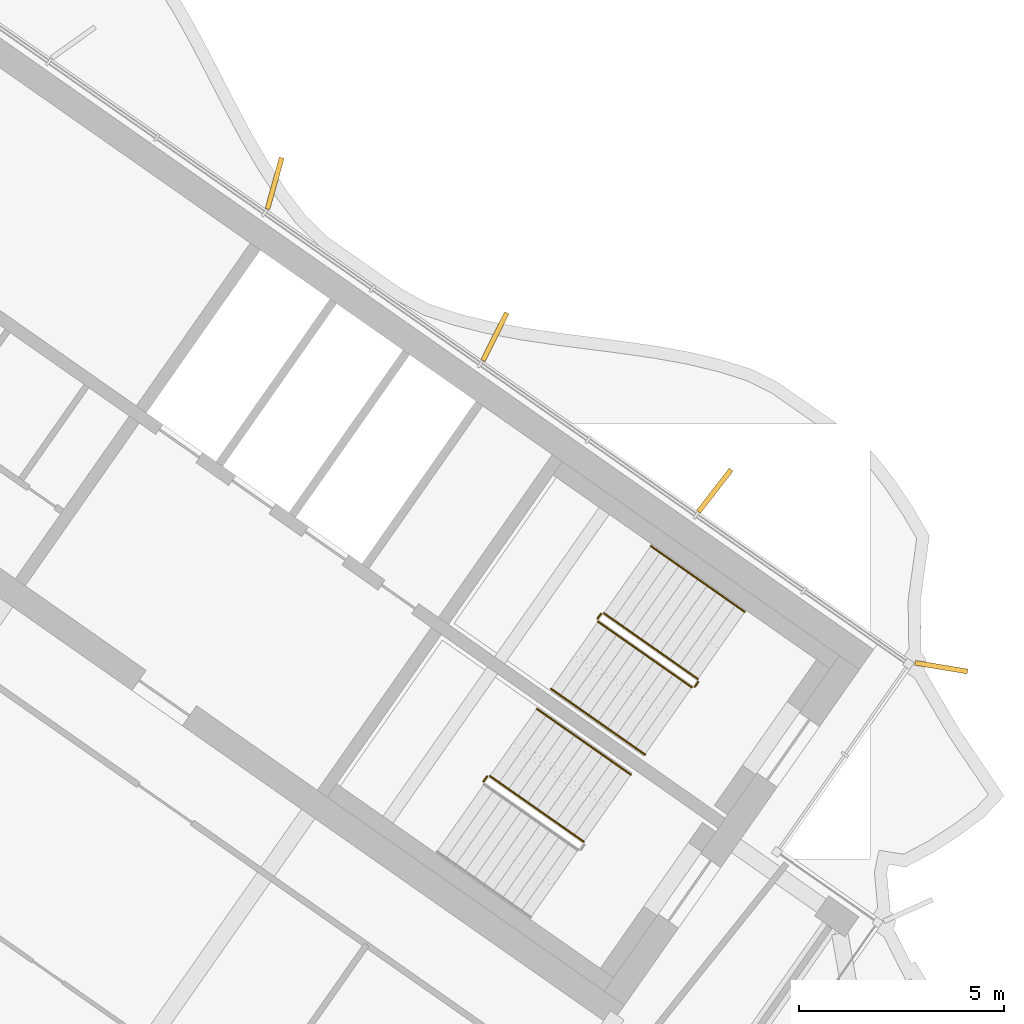
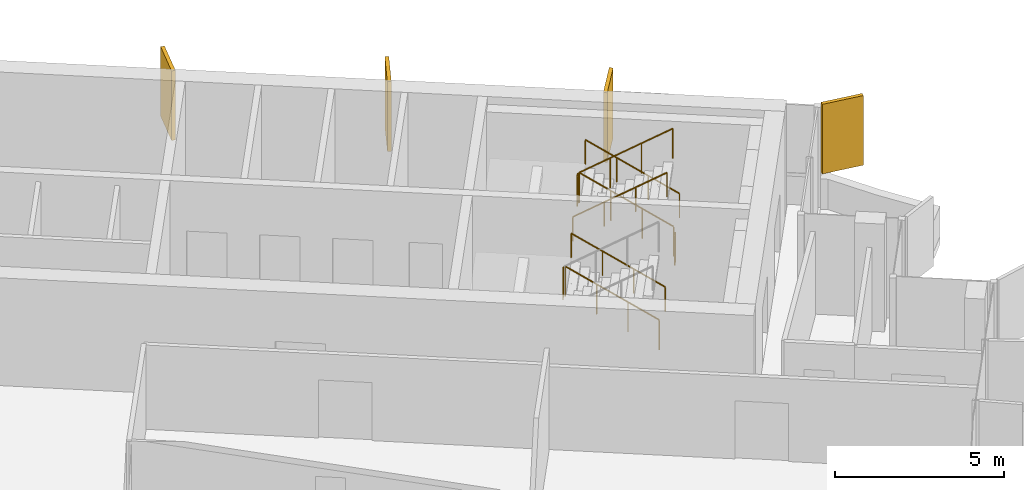
# One storey, part 17 of 18: 9 railings, 4 shading devices.
"""IFC4 building model written with IfcOpenShell, lengths in metres."""

import ifcopenshell
import ifcopenshell.guid

model = None  # the IFC model being written
_history = None  # IfcOwnerHistory: only IFC2X3 demands one
_inside = {}  # id of a spatial element -> (the spatial element, [elements in it])
_under = {}  # id of a project, library or spatial element -> (it, [spatial elements below it])
_declared = {}  # id of a project -> (the project, [libraries it declares])
_typed = {}  # id of a type object -> (the type object, [elements of that type])
_made_of = {}  # id of a material, layer set ... -> (it, [elements and type objects made of it])


def new_model(schema):
    """Start an empty IFC model of exactly this schema.

    Asked for "IFC4X3", IfcOpenShell would pick the latest addendum, in which some entities
    have other attributes; the version numbers below select the first issue.
    IFC2X3 requires an IfcOwnerHistory on every rooted entity: one is made here for all.
    """
    global model, _history
    if schema == "IFC4X3":
        model = ifcopenshell.file(schema_version=(4, 3, 0, 0))
    else:
        model = ifcopenshell.file(schema=schema)
    _inside.clear()
    _under.clear()
    _declared.clear()
    _typed.clear()
    _made_of.clear()
    _history = None
    if model.schema == "IFC2X3":
        org = make("IfcOrganization", Name="unknown")
        user = make(
            "IfcPersonAndOrganization",
            ThePerson=make("IfcPerson", FamilyName="unknown"),
            TheOrganization=org,
        )
        app = make(
            "IfcApplication",
            ApplicationDeveloper=org,
            Version="unknown",
            ApplicationFullName="unknown",
            ApplicationIdentifier="unknown",
        )
        _history = make(
            "IfcOwnerHistory",
            OwningUser=user,
            OwningApplication=app,
            ChangeAction="ADDED",
            CreationDate=0,
        )
    return model


def make(cls, **values):
    """One entity of the class cls with the attributes given. An attribute that is None is left unset."""
    return model.create_entity(
        cls, **{name: value for name, value in values.items() if value is not None}
    )


def rooted(cls, **values):
    """An entity with a GlobalId (a new one), such as an element, a storey or a relation."""
    return make(cls, GlobalId=ifcopenshell.guid.new(), OwnerHistory=_history, **values)


def si_unit(unit_type, name, prefix=None):
    """IfcSIUnit, for example si_unit("LENGTHUNIT", "METRE", prefix="MILLI")."""
    return make("IfcSIUnit", UnitType=unit_type, Prefix=prefix, Name=name)


def assignment(units):
    """IfcUnitAssignment: the units of a project."""
    return None if units is None else make("IfcUnitAssignment", Units=units)


def point(xyz):
    """IfcCartesianPoint."""
    return None if xyz is None else make("IfcCartesianPoint", Coordinates=xyz)


def direction(xyz):
    """IfcDirection."""
    return None if xyz is None else make("IfcDirection", DirectionRatios=xyz)


def frame(location, z_axis=None, x_axis=None):
    """IfcAxis2Placement3D, a coordinate frame: its origin and axes. An axis left out is left unset."""
    return make(
        "IfcAxis2Placement3D",
        Location=point(location),
        Axis=direction(z_axis),
        RefDirection=direction(x_axis),
    )


def frame_2d(location, x_axis=None):
    """IfcAxis2Placement2D, a coordinate frame in the plane: its origin and x axis."""
    return make(
        "IfcAxis2Placement2D", Location=point(location), RefDirection=direction(x_axis)
    )


def origin():
    """The frame at (0, 0, 0) with its axes left unset."""
    return frame((0.0, 0.0, 0.0))


def origin_2d():
    """The frame at (0, 0) in the plane with its x axis left unset."""
    return frame_2d((0.0, 0.0))


def place(relative_to, where):
    """IfcLocalPlacement: puts the frame where relative to a parent placement (None: the world)."""
    return make(
        "IfcLocalPlacement", PlacementRelTo=relative_to, RelativePlacement=where
    )


def context(
    kind, dimensions, precision=None, world=None, true_north=None, identifier=None
):
    """IfcGeometricRepresentationContext, for example the 3D "Model" context."""
    return make(
        "IfcGeometricRepresentationContext",
        ContextIdentifier=identifier,
        ContextType=kind,
        CoordinateSpaceDimension=dimensions,
        Precision=precision,
        WorldCoordinateSystem=world,
        TrueNorth=true_north,
    )


def subcontext(parent, identifier, kind, view, scale=None):
    """IfcGeometricRepresentationSubContext, for example "Body" below "Model"."""
    return make(
        "IfcGeometricRepresentationSubContext",
        ContextIdentifier=identifier,
        ContextType=kind,
        ParentContext=parent,
        TargetScale=scale,
        TargetView=view,
    )


def project(units=None, contexts=None):
    """IfcProject with its units and contexts."""
    return rooted(
        "IfcProject",
        Name="project",
        RepresentationContexts=contexts,
        UnitsInContext=assignment(units),
    )


def spatial(cls, under=None, at=None, **own):
    """A site, building, storey or space (cls), placed at a placement, below another one or the project."""
    s = rooted(cls, ObjectPlacement=at, **own)
    if under is not None:
        _under.setdefault(under.id(), (under, []))[1].append(s)
    return s


def profile(cls, at=None, kind="AREA", **sizes):
    """A parametric profile (cls). Its sizes go by their IFC names, for example OverallWidth=200.0."""
    return make(cls, ProfileType=kind, Position=at, **sizes)


def rectangle(**sizes):
    """IfcRectangleProfileDef."""
    return profile("IfcRectangleProfileDef", **sizes)


def circle(**sizes):
    """IfcCircleProfileDef."""
    return profile("IfcCircleProfileDef", **sizes)


def extrude(swept, where, along, depth):
    """IfcExtrudedAreaSolid: the profile swept, set in the frame where, extruded along a direction by depth."""
    return make(
        "IfcExtrudedAreaSolid",
        SweptArea=swept,
        Position=where,
        ExtrudedDirection=direction(along),
        Depth=depth,
    )


def shape(context_of_items, identifier, shape_type, items):
    """IfcShapeRepresentation: the items that make up one representation, for example the "Body"."""
    return make(
        "IfcShapeRepresentation",
        ContextOfItems=context_of_items,
        RepresentationIdentifier=identifier,
        RepresentationType=shape_type,
        Items=items,
    )


def material(Name=None, Category=None):
    """IfcMaterial."""
    return make("IfcMaterial", Name=Name, Category=Category)


def layer(
    of_material, thickness, ventilated=None, Name=None, Category=None, Priority=None
):
    """IfcMaterialLayer: one layer of a wall or slab, of a material (None: an air gap)."""
    return make(
        "IfcMaterialLayer",
        Material=of_material,
        LayerThickness=thickness,
        IsVentilated=ventilated,
        Name=Name,
        Category=Category,
        Priority=Priority,
    )


def layer_set(layers, Name=None):
    """IfcMaterialLayerSet."""
    return make("IfcMaterialLayerSet", MaterialLayers=layers, LayerSetName=Name)


def made_of(thing, what):
    """Note that an element or type object is made of a material, layer set ...; save() writes the relation."""
    if what is not None:
        _made_of.setdefault(what.id(), (what, []))[1].append(thing)
    return thing


def type_object(cls, material=None, **own):
    """A type object (cls), such as IfcWallType, which elements share."""
    return made_of(rooted(cls, **own), material)


def element(
    cls,
    number,
    at=None,
    inside=None,
    cuts=None,
    type_object=None,
    material=None,
    context=None,
    identifier="Body",
    shape_type=None,
    held_by="IfcProductDefinitionShape",
    body=None,
    shapes=None,
    **own,
):
    """One element of the class cls, such as IfcWall. Its Tag is "e" and its number.

    at: its placement. inside: the storey or other place that contains it. cuts: it is an
    opening in that element (IfcRelVoidsElement). A single representation is given by context,
    identifier, shape_type and body (its items); several are given by shapes. held_by: the class
    of the entity that holds the representations. save() writes the other relations.
    """
    e = rooted(cls, Tag="e%d" % number, ObjectPlacement=at, **own)
    if body is not None:
        shapes = [shape(context, identifier, shape_type, body)]
    if shapes is not None:
        e.Representation = make(held_by, Representations=shapes)
    if inside is not None:
        _inside.setdefault(inside.id(), (inside, []))[1].append(e)
    if cuts is not None:
        rooted(
            "IfcRelVoidsElement", RelatingBuildingElement=cuts, RelatedOpeningElement=e
        )
    if type_object is not None:
        _typed.setdefault(type_object.id(), (type_object, []))[1].append(e)
    return made_of(e, material)


def aggregate(whole, parts):
    """IfcRelAggregates: a whole, such as a stair, and the parts it consists of."""
    return rooted("IfcRelAggregates", RelatingObject=whole, RelatedObjects=parts)


def save(model, path):
    """Write the relations noted so far, then the file.

    IfcRelAggregates (storeys below a building ...), IfcRelContainedInSpatialStructure (elements
    in a storey), IfcRelDefinesByType, IfcRelAssociatesMaterial and IfcRelDeclares: one each for
    every whole, place, type object, material and project.
    """
    for whole, parts in _under.values():
        aggregate(whole, parts)
    for where, things in _inside.values():
        rooted(
            "IfcRelContainedInSpatialStructure",
            RelatedElements=things,
            RelatingStructure=where,
        )
    for kind, things in _typed.values():
        rooted("IfcRelDefinesByType", RelatedObjects=things, RelatingType=kind)
    for what, things in _made_of.values():
        rooted("IfcRelAssociatesMaterial", RelatedObjects=things, RelatingMaterial=what)
    for by, libraries in _declared.values():
        rooted("IfcRelDeclares", RelatingContext=by, RelatedDefinitions=libraries)
    model.write(path)


model = new_model("IFC4")

# Units and contexts
model_context = context("Model", 3, precision=1e-05, world=origin(), true_north=direction((0.0, 1.0)))
body_context = subcontext(model_context, "Body", "Model", "MODEL_VIEW")
ifc_project = project(units=[si_unit("LENGTHUNIT", "METRE"), si_unit("AREAUNIT", "SQUARE_METRE"), si_unit("VOLUMEUNIT", "CUBIC_METRE"), si_unit("PLANEANGLEUNIT", "RADIAN"), si_unit("MASSUNIT", "GRAM", prefix="KILO")], contexts=[model_context])

# Site, building, storey
site_placement = place(None, origin())
site = spatial("IfcSite", under=ifc_project, at=site_placement, CompositionType="ELEMENT")
building_placement = place(site_placement, origin())
building = spatial("IfcBuilding", under=site, at=building_placement, Name="Tel Ilan Convention Tower", CompositionType="ELEMENT")
storey_placement = place(building_placement, frame((0.0, 0.0, 303.39990234375)))
storey = spatial("IfcBuildingStorey", under=building, at=storey_placement, Name="L72", CompositionType="ELEMENT", Elevation=303.39990234375)

# Shading devices
ifc_material_1 = material(Name="Aluminium, bronze anodised", Category="aluminium")
ifc_layer = layer(ifc_material_1, 0.1201171875)
ifc_layer_set = layer_set([ifc_layer], Name="FIN BRONZE 1300x120")
shading_device_type = type_object("IfcShadingDeviceType", Name="FIN BRONZE 1300x120", PredefinedType="USERDEFINED", material=ifc_layer_set)
for number, where, z_axis, x_axis, name in (
    (1, (29.619140625, -7.562255859375, 1.10009765625), (0.0, 0.0, 1.0), (0.986445172547, -0.16409119891, 0.0), "FIN"),
    (2, (24.09326171875, -3.256591796875, 1.10009765625), (0.0, 0.0, 1.0), (0.612600545196, 0.790392669516, 0.0), "FIN"),
    (3, (18.724853515625, 0.501953125, 1.10009765625), (0.0, 0.0, 1.0), (0.448799180206, 0.893632640321, 0.0), "FIN"),
    (4, (13.3486328125, 4.243408203125, 1.10009765625), (0.0, 0.0, 1.0), (0.268172612768, 0.963370878614, 0.0), "FIN"),
):
    element("IfcShadingDevice", number, at=place(storey_placement, frame(where, z_axis=z_axis, x_axis=x_axis)), inside=storey, type_object=shading_device_type, Name=name, ObjectType="FIN", PredefinedType="USERDEFINED", context=body_context, shape_type="SweptSolid", body=[
        extrude(rectangle(XDim=1.300048828125, YDim=0.1201171875, at=origin_2d()), origin(), (0.0, 0.0, 1.0), 2.52001953125),
    ])

# Railings
ifc_material_2 = material(Name="Stainless Steel Grade 316", Category="steel")
railing_type_1 = type_object("IfcRailingType", Name="Stainless Steel Stair Guard 1100 mm", PredefinedType="GUARDRAIL", material=ifc_material_2)
railing_1_placement = place(storey_placement, frame((23.6787109375, -7.8515625, 0.177490234375)))
element("IfcRailing", 5, at=railing_1_placement, inside=storey, type_object=railing_type_1, Name="L72 S3 stair guard 1", PredefinedType="GUARDRAIL", context=body_context, shape_type="SweptSolid", body=[
    extrude(circle(Radius=0.02392578125, at=origin_2d()), frame((0.0, 0.0, 1.076171875), z_axis=(-0.692084706163, 0.484621375041, 0.534940073605), x_axis=(-0.573591086599, -0.819141785879, 0.0)), (0.0, 0.0, 1.0), 3.313720703125),
    extrude(circle(Radius=0.02099609375, at=origin_2d()), origin(), (0.0, 0.0, 1.0), 1.052001953125),
    extrude(circle(Radius=0.02099609375, at=origin_2d()), frame((-0.764404296875, 0.535400390625, 0.5908203125)), (0.0, 0.0, 1.0), 1.052001953125),
    extrude(circle(Radius=0.02099609375, at=origin_2d()), frame((-1.529052734375, 1.070556640625, 1.181884765625)), (0.0, 0.0, 1.0), 1.052001953125),
    extrude(circle(Radius=0.02099609375, at=origin_2d()), frame((-2.29345703125, 1.60595703125, 1.772705078125)), (0.0, 0.0, 1.0), 1.052001953125),
])
railing_2_placement = place(storey_placement, frame((21.3154296875, -6.2578125, 1.9501953125)))
element("IfcRailing", 6, at=railing_2_placement, inside=storey, type_object=railing_type_1, Name="L72 S3 stair guard 2", PredefinedType="GUARDRAIL", context=body_context, shape_type="SweptSolid", body=[
    extrude(circle(Radius=0.02392578125, at=origin_2d()), frame((0.0, 0.0, 1.076171875), z_axis=(-0.573353020881, -0.819308436089, 0.0), x_axis=(0.819308436089, -0.573353020881, 0.0)), (0.0, 0.0, 1.0), 0.14990234375),
    extrude(circle(Radius=0.02099609375, at=origin_2d()), origin(), (0.0, 0.0, 1.0), 1.052001953125),
    extrude(circle(Radius=0.02099609375, at=origin_2d()), frame((-0.0859375, -0.122802734375, 0.0)), (0.0, 0.0, 1.0), 1.052001953125),
])
railing_3_placement = place(storey_placement, frame((21.24169921875, -6.4501953125, 2.12744140625)))
element("IfcRailing", 7, at=railing_3_placement, inside=storey, type_object=railing_type_1, Name="L72 S3 stair guard 3", PredefinedType="GUARDRAIL", context=body_context, shape_type="SweptSolid", body=[
    extrude(circle(Radius=0.02392578125, at=origin_2d()), frame((0.0, 0.0, 1.076171875), z_axis=(0.692098378994, -0.484653031975, 0.534893701956), x_axis=(0.573608623498, 0.819129505664, 0.0)), (0.0, 0.0, 1.0), 3.314208984375),
    extrude(circle(Radius=0.02099609375, at=origin_2d()), origin(), (0.0, 0.0, 1.0), 1.052001953125),
    extrude(circle(Radius=0.02099609375, at=origin_2d()), frame((0.7646484375, -0.535400390625, 0.5908203125)), (0.0, 0.0, 1.0), 1.052001953125),
    extrude(circle(Radius=0.02099609375, at=origin_2d()), frame((1.529052734375, -1.07080078125, 1.181884765625)), (0.0, 0.0, 1.0), 1.052001953125),
    extrude(circle(Radius=0.02099609375, at=origin_2d()), frame((2.293701171875, -1.606201171875, 1.772705078125)), (0.0, 0.0, 1.0), 1.052001953125),
])
railing_4_placement = place(storey_placement, frame((23.691162109375, -7.921142578125, 0.0)))
element("IfcRailing", 8, at=railing_4_placement, inside=storey, type_object=railing_type_1, Name="L72 S3 stair guard 4", PredefinedType="GUARDRAIL", context=body_context, shape_type="SweptSolid", body=[
    extrude(circle(Radius=0.02392578125, at=origin_2d()), frame((0.0, 0.0, 1.076171875), z_axis=(-0.574444878118, -0.818543268254, 0.0), x_axis=(0.818543268254, -0.574444878118, 0.0)), (0.0, 0.0, 1.0), 0.150146484375),
    extrude(circle(Radius=0.02099609375, at=origin_2d()), origin(), (0.0, 0.0, 1.0), 1.052001953125),
    extrude(circle(Radius=0.02099609375, at=origin_2d()), frame((-0.086181640625, -0.122802734375, 0.0)), (0.0, 0.0, 1.0), 1.052001953125),
])
railing_5_placement = place(storey_placement, frame((20.89697265625, -11.824462890625, 0.177490234375)))
element("IfcRailing", 9, at=railing_5_placement, inside=storey, type_object=railing_type_1, Name="L72 S4 stair guard 1", PredefinedType="GUARDRAIL", context=body_context, shape_type="SweptSolid", body=[
    extrude(circle(Radius=0.02392578125, at=origin_2d()), frame((0.0, 0.0, 1.076171875), z_axis=(-0.692123088272, 0.484596665743, 0.534912798717), x_axis=(-0.573550118428, -0.819170471667, 0.0)), (0.0, 0.0, 1.0), 3.31396484375),
    extrude(circle(Radius=0.02099609375, at=origin_2d()), origin(), (0.0, 0.0, 1.0), 1.052001953125),
    extrude(circle(Radius=0.02099609375, at=origin_2d()), frame((-0.7646484375, 0.535400390625, 0.5908203125)), (0.0, 0.0, 1.0), 1.052001953125),
    extrude(circle(Radius=0.02099609375, at=origin_2d()), frame((-1.529052734375, 1.070556640625, 1.181884765625)), (0.0, 0.0, 1.0), 1.052001953125),
    extrude(circle(Radius=0.02099609375, at=origin_2d()), frame((-2.293701171875, 1.60595703125, 1.772705078125)), (0.0, 0.0, 1.0), 1.052001953125),
])
railing_6_placement = place(storey_placement, frame((18.53369140625, -10.230712890625, 1.9501953125)))
element("IfcRailing", 10, at=railing_6_placement, inside=storey, type_object=railing_type_1, Name="L72 S4 stair guard 2", PredefinedType="GUARDRAIL", context=body_context, shape_type="SweptSolid", body=[
    extrude(circle(Radius=0.02392578125, at=origin_2d()), frame((0.0, 0.0, 1.076171875), z_axis=(-0.573353020881, -0.819308436089, 0.0), x_axis=(0.819308436089, -0.573353020881, 0.0)), (0.0, 0.0, 1.0), 0.14990234375),
    extrude(circle(Radius=0.02099609375, at=origin_2d()), origin(), (0.0, 0.0, 1.0), 1.052001953125),
    extrude(circle(Radius=0.02099609375, at=origin_2d()), frame((-0.0859375, -0.122802734375, 0.0)), (0.0, 0.0, 1.0), 1.052001953125),
])
ifc_material_3 = material(Name="Stainless Steel Grade 316", Category="steel")
railing_type_2 = type_object("IfcRailingType", Name="Stainless Steel Stair Handrail 900 mm", PredefinedType="HANDRAIL", material=ifc_material_3)
railing_7_placement = place(storey_placement, frame((24.825927734375, -6.213134765625, 0.177490234375)))
element("IfcRailing", 11, at=railing_7_placement, inside=storey, type_object=railing_type_2, Name="L72 S3 stair handrail 1", PredefinedType="HANDRAIL", context=body_context, shape_type="SweptSolid", body=[
    extrude(circle(Radius=0.02392578125, at=origin_2d()), frame((0.0, 0.0, 0.8759765625), z_axis=(-0.692123088272, 0.484596665743, 0.534912798717), x_axis=(-0.573550118428, -0.819170471667, 0.0)), (0.0, 0.0, 1.0), 3.31396484375),
    extrude(circle(Radius=0.02099609375, at=origin_2d()), origin(), (0.0, 0.0, 1.0), 0.851806640625),
    extrude(circle(Radius=0.02099609375, at=origin_2d()), frame((-0.7646484375, 0.535400390625, 0.5908203125)), (0.0, 0.0, 1.0), 0.851806640625),
    extrude(circle(Radius=0.02099609375, at=origin_2d()), frame((-1.529052734375, 1.070556640625, 1.181884765625)), (0.0, 0.0, 1.0), 0.851806640625),
    extrude(circle(Radius=0.02099609375, at=origin_2d()), frame((-2.293701171875, 1.60595703125, 1.772705078125)), (0.0, 0.0, 1.0), 0.851806640625),
])
railing_8_placement = place(storey_placement, frame((20.0947265625, -8.088623046875, 2.12744140625)))
element("IfcRailing", 12, at=railing_8_placement, inside=storey, type_object=railing_type_2, Name="L72 S3 stair handrail 2", PredefinedType="HANDRAIL", context=body_context, shape_type="SweptSolid", body=[
    extrude(circle(Radius=0.02392578125, at=origin_2d()), frame((0.0, 0.0, 0.8759765625), z_axis=(0.692084706163, -0.484621375041, 0.534940073605), x_axis=(0.573591086599, 0.819141785879, 0.0)), (0.0, 0.0, 1.0), 3.313720703125),
    extrude(circle(Radius=0.02099609375, at=origin_2d()), origin(), (0.0, 0.0, 1.0), 0.851806640625),
    extrude(circle(Radius=0.02099609375, at=origin_2d()), frame((0.764404296875, -0.535400390625, 0.5908203125)), (0.0, 0.0, 1.0), 0.851806640625),
    extrude(circle(Radius=0.02099609375, at=origin_2d()), frame((1.529052734375, -1.070556640625, 1.181884765625)), (0.0, 0.0, 1.0), 0.851806640625),
    extrude(circle(Radius=0.02099609375, at=origin_2d()), frame((2.29345703125, -1.60595703125, 1.772705078125)), (0.0, 0.0, 1.0), 0.851806640625),
])
railing_9_placement = place(storey_placement, frame((22.044189453125, -10.18603515625, 0.177490234375)))
element("IfcRailing", 13, at=railing_9_placement, inside=storey, type_object=railing_type_2, Name="L72 S4 stair handrail 1", PredefinedType="HANDRAIL", context=body_context, shape_type="SweptSolid", body=[
    extrude(circle(Radius=0.02392578125, at=origin_2d()), frame((0.0, 0.0, 0.8759765625), z_axis=(-0.692123088272, 0.484596665743, 0.534912798717), x_axis=(-0.573550118428, -0.819170471667, 0.0)), (0.0, 0.0, 1.0), 3.31396484375),
    extrude(circle(Radius=0.02099609375, at=origin_2d()), origin(), (0.0, 0.0, 1.0), 0.851806640625),
    extrude(circle(Radius=0.02099609375, at=origin_2d()), frame((-0.7646484375, 0.535400390625, 0.5908203125)), (0.0, 0.0, 1.0), 0.851806640625),
    extrude(circle(Radius=0.02099609375, at=origin_2d()), frame((-1.529052734375, 1.070556640625, 1.181884765625)), (0.0, 0.0, 1.0), 0.851806640625),
    extrude(circle(Radius=0.02099609375, at=origin_2d()), frame((-2.293701171875, 1.60595703125, 1.772705078125)), (0.0, 0.0, 1.0), 0.851806640625),
])

save(model, "model.ifc")
